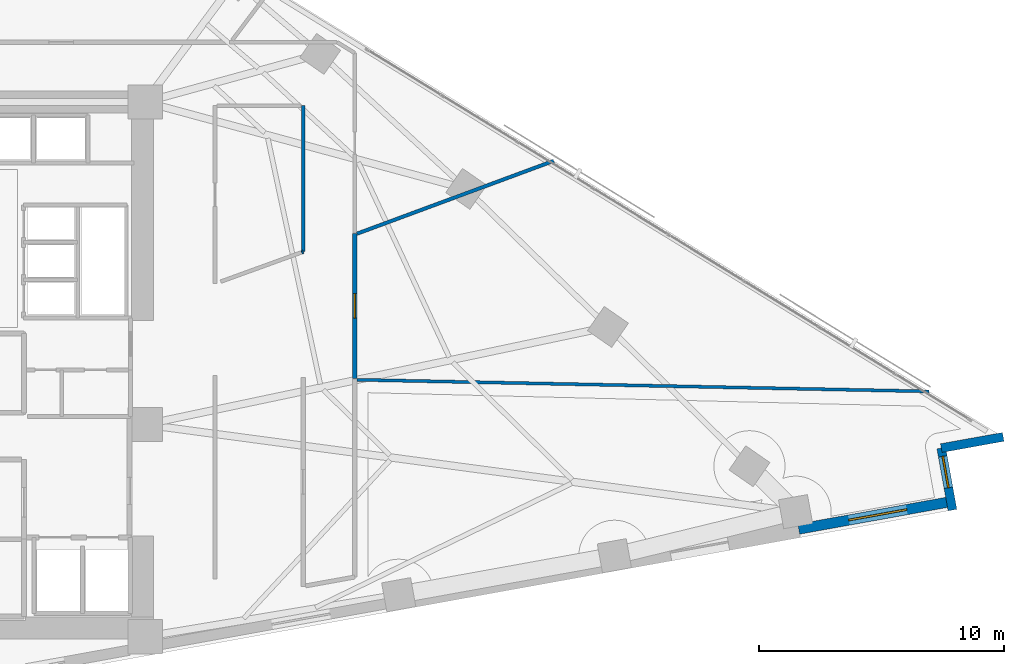
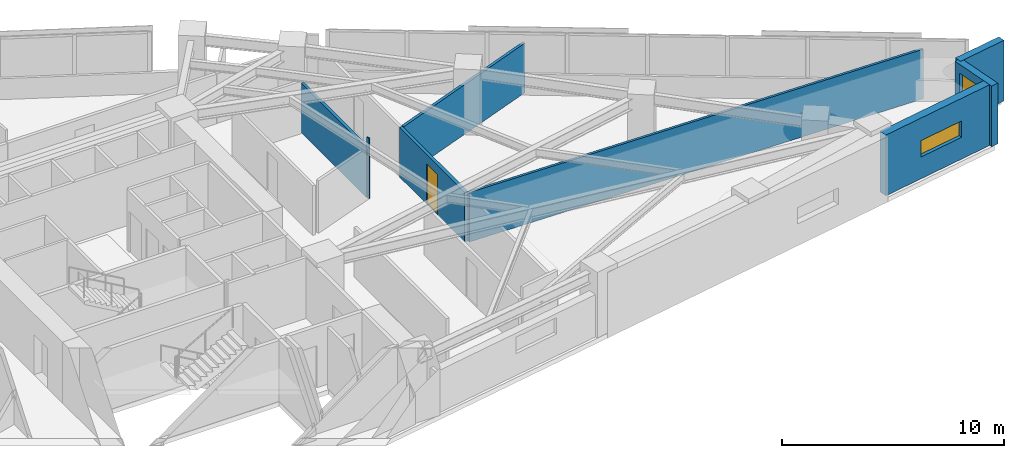
# One storey, part 15 of 18: 8 walls, 2 windows, 1 door, 3 openings.
"""IFC4 building model written with IfcOpenShell, lengths in metres."""

from ifc_helpers import new_model, si_unit, direction, frame, frame_2d, origin, place, context, subcontext, project, spatial, rectangle, extrude, material, layer, layer_set, type_object, element, fill, save


model = new_model("IFC4")

# Units and contexts
model_context = context("Model", 3, precision=1e-05, world=origin(), true_north=direction((0.0, 1.0)))
body_context = subcontext(model_context, "Body", "Model", "MODEL_VIEW")
ifc_project = project(units=[si_unit("LENGTHUNIT", "METRE"), si_unit("AREAUNIT", "SQUARE_METRE"), si_unit("VOLUMEUNIT", "CUBIC_METRE"), si_unit("PLANEANGLEUNIT", "RADIAN"), si_unit("MASSUNIT", "GRAM", prefix="KILO")], contexts=[model_context])

# Site, building, storey
site_placement = place(None, origin())
site = spatial("IfcSite", under=ifc_project, at=site_placement, CompositionType="ELEMENT")
building_placement = place(site_placement, origin())
building = spatial("IfcBuilding", under=site, at=building_placement, Name="Narakoshi Arena Tower", CompositionType="ELEMENT")
storey_placement = place(building_placement, frame((0.0, 0.0, 106.5)))
storey = spatial("IfcBuildingStorey", under=building, at=storey_placement, Name="L28", CompositionType="ELEMENT", Elevation=106.5)

# Wall, opening, door
ifc_material_1 = material(Name="Gypsum plasterboard fire-rated partition")
ifc_layer_1 = layer(ifc_material_1, 0.1650390625)
ifc_layer_set_1 = layer_set([ifc_layer_1], Name="Gypsum plasterboard fire-rated partition")
wall_type_1 = type_object("IfcWallType", Name="WL-CORR-165", PredefinedType="PARTITIONING", material=ifc_layer_set_1)
wall_1_placement = place(storey_placement, frame((94.09619140625, 45.237060546875, 0.0), z_axis=(0.0, 0.0, 1.0), x_axis=(0.0, 1.0, 0.0)))
wall_1 = element("IfcWall", 1, at=wall_1_placement, inside=storey, type_object=wall_type_1, Name="L28 Corridor Partition 03-1", PredefinedType="PARTITIONING", context=body_context, shape_type="SweptSolid", body=[
    extrude(rectangle(XDim=5.894287109375, YDim=0.1650390625, at=frame_2d((2.947265625, 0.0))), origin(), (0.0, 0.0, 1.0), 2.72509765625),
])
opening_1_placement = place(wall_1_placement, frame((2.447265625, 0.0, 0.0)))
opening_1 = element("IfcOpeningElement", 2, at=opening_1_placement, cuts=wall_1, Name="Opening D-06", PredefinedType="OPENING", context=body_context, shape_type="SweptSolid", body=[
    extrude(rectangle(XDim=1.0, YDim=2.199951171875, at=frame_2d((0.5, 1.10009765625))), frame((0.0, 0.092529296875, 0.0), z_axis=(0.0, -1.0, 0.0), x_axis=(1.0, 0.0, 0.0)), (0.0, 0.0, 1.0), 0.18505859375),
])
ifc_material_2 = material(Name="Stained oak solid-core timber", Category="wood")
door_type = type_object("IfcDoorType", Name="DR-OFF-1000", OperationType="NOTDEFINED", PredefinedType="DOOR", material=ifc_material_2)
door_placement = place(opening_1_placement, frame((1.0, 0.0, 0.0), z_axis=(0.0, 0.0, 1.0), x_axis=(-1.0, 0.0, 0.0)))
door = element("IfcDoor", 3, at=door_placement, inside=storey, type_object=door_type, Name="DR-L28-017", OperationType="SINGLE_SWING_RIGHT", OverallHeight=2.199951171875, OverallWidth=1.0, PredefinedType="DOOR", context=body_context, shape_type="SweptSolid", body=[
    extrude(rectangle(XDim=1.0, YDim=2.199951171875, at=frame_2d((0.5, 1.10009765625))), frame((0.0, 0.02490234375, 0.0), z_axis=(0.0, -1.0, 0.0), x_axis=(1.0, 0.0, 0.0)), (0.0, 0.0, 1.0), 0.050048828125),
])
fill(opening_1, door)

# Wall
ifc_layer_2 = layer(ifc_material_1, 0.125)
ifc_layer_set_2 = layer_set([ifc_layer_2], Name="Gypsum plasterboard fire-rated partition")
wall_type_2 = type_object("IfcWallType", Name="WL-PART-125", PredefinedType="PARTITIONING", material=ifc_layer_set_2)
wall_2_placement = place(storey_placement, frame((94.190673828125, 45.175048828125, 0.0), z_axis=(0.0, 0.0, 1.0), x_axis=(0.99979429886, -0.020282010941, 0.0)))
element("IfcWall", 4, at=wall_2_placement, inside=storey, type_object=wall_type_2, Name="L28 Inter-Room Partition 02-03", PredefinedType="PARTITIONING", context=body_context, shape_type="SweptSolid", body=[
    extrude(rectangle(XDim=23.328369140625, YDim=0.125, at=frame_2d((11.6640625, 0.0))), origin(), (0.0, 0.0, 1.0), 2.72509765625),
])

# Wall, opening, window
ifc_material_3 = material(Name="Precast concrete C45/55", Category="concrete")
ifc_layer_3 = layer(ifc_material_3, 0.419921875)
ifc_layer_set_3 = layer_set([ifc_layer_3], Name="Precast concrete C45/55")
wall_type_3 = type_object("IfcWallType", Name="WL-POD-420", PredefinedType="SOLIDWALL", material=ifc_layer_set_3)
wall_3_placement = place(storey_placement, frame((112.198974609375, 39.086669921875, 0.0), z_axis=(0.0, 0.0, 1.0), x_axis=(0.984042888215, 0.177931431042, 0.0)))
wall_3 = element("IfcWall", 5, at=wall_3_placement, inside=storey, type_object=wall_type_3, Name="L28 Architectural Concrete Facade Wall LEGA-4", PredefinedType="SOLIDWALL", context=body_context, shape_type="SweptSolid", body=[
    extrude(rectangle(XDim=6.30615234375, YDim=0.419921875, at=frame_2d((3.153076171875, 0.0))), origin(), (0.0, 0.0, 1.0), 3.340087890625),
])
opening_2_placement = place(wall_3_placement, frame((2.0751953125, 0.0, 1.199951171875)))
opening_2 = element("IfcOpeningElement", 6, at=opening_2_placement, cuts=wall_3, Name="Opening WN-01", PredefinedType="OPENING", context=body_context, shape_type="SweptSolid", body=[
    extrude(rectangle(XDim=2.39990234375, YDim=0.89990234375, at=frame_2d((1.199951171875, 0.449951171875))), frame((0.0, 0.219970703125, 0.0), z_axis=(0.0, -1.0, 0.0), x_axis=(1.0, 0.0, 0.0)), (0.0, 0.0, 1.0), 0.43994140625),
])
ifc_material_4 = material(Name="Bronze-tinted low-E laminated glass", Category="glass")
window_type_1 = type_object("IfcWindowType", Name="WIN-SLT-24x09", PartitioningType="SINGLE_PANEL", PredefinedType="WINDOW", material=ifc_material_4)
window_1_placement = place(opening_2_placement, origin())
window_1 = element("IfcWindow", 7, at=window_1_placement, inside=storey, type_object=window_type_1, Name="L28 LEGA4 Horizontal Slot Window 1", OverallHeight=0.89990234375, OverallWidth=2.39990234375, PartitioningType="SINGLE_PANEL", PredefinedType="WINDOW", context=body_context, shape_type="SweptSolid", body=[
    extrude(rectangle(XDim=2.39990234375, YDim=0.89990234375, at=frame_2d((1.199951171875, 0.449951171875))), frame((0.0, 0.030029296875, 0.0), z_axis=(0.0, -1.0, 0.0), x_axis=(1.0, 0.0, 0.0)), (0.0, 0.0, 1.0), 0.06005859375),
])
fill(opening_2, window_1)

wall_4_placement = place(storey_placement, frame((118.466796875, 39.8642578125, 0.0), z_axis=(0.0, 0.0, 1.0), x_axis=(-0.177897493713, 0.984049024048, 0.0)))
wall_4 = element("IfcWall", 8, at=wall_4_placement, inside=storey, type_object=wall_type_3, Name="L28 Re-Entrant Corner Notch Wall NTE-1", PredefinedType="SOLIDWALL", context=body_context, shape_type="SweptSolid", body=[
    extrude(rectangle(XDim=2.56640625, YDim=0.360107421875, at=frame_2d((1.283203125, 0.0))), origin(), (0.0, 0.0, 1.0), 3.340087890625),
])
opening_3_placement = place(wall_4_placement, frame((0.92626953125, 0.0, 0.449951171875)))
opening_3 = element("IfcOpeningElement", 9, at=opening_3_placement, cuts=wall_4, Name="Opening WN-06", PredefinedType="OPENING", context=body_context, shape_type="SweptSolid", body=[
    extrude(rectangle(XDim=1.300048828125, YDim=2.39990234375, at=frame_2d((0.64990234375, 1.199951171875))), frame((0.0, 0.18994140625, 0.0), z_axis=(0.0, -1.0, 0.0), x_axis=(1.0, 0.0, 0.0)), (0.0, 0.0, 1.0), 0.380126953125),
])
window_type_2 = type_object("IfcWindowType", Name="WIN-NTC-16x24", PartitioningType="SINGLE_PANEL", PredefinedType="WINDOW", material=ifc_material_4)
window_2_placement = place(opening_3_placement, origin())
window_2 = element("IfcWindow", 10, at=window_2_placement, inside=storey, type_object=window_type_2, Name="L28 Corner Notch Window NTE", OverallHeight=2.39990234375, OverallWidth=1.300048828125, PartitioningType="SINGLE_PANEL", PredefinedType="WINDOW", context=body_context, shape_type="SweptSolid", body=[
    extrude(rectangle(XDim=1.300048828125, YDim=2.39990234375, at=frame_2d((0.64990234375, 1.199951171875))), frame((0.0, 0.030029296875, 0.0), z_axis=(0.0, -1.0, 0.0), x_axis=(1.0, 0.0, 0.0)), (0.0, 0.0, 1.0), 0.06005859375),
])
fill(opening_3, window_2)

# Walls
wall_5_placement = place(storey_placement, frame((118.01025390625, 42.3896484375, 0.0), z_axis=(0.0, 0.0, 1.0), x_axis=(0.984046012923, 0.177914149102, 0.0)))
element("IfcWall", 11, at=wall_5_placement, inside=storey, type_object=wall_type_3, Name="L28 Re-Entrant Corner Notch Wall NTE-2", PredefinedType="SOLIDWALL", context=body_context, shape_type="SweptSolid", body=[
    extrude(rectangle(XDim=2.566162109375, YDim=0.360107421875, at=frame_2d((1.283203125, 0.0))), origin(), (0.0, 0.0, 1.0), 3.340087890625),
])
ifc_material_5 = material(Name="Moisture-resistant cement-board partition")
ifc_layer_4 = layer(ifc_material_5, 0.14501953125)
ifc_layer_set_4 = layer_set([ifc_layer_4], Name="Moisture-resistant cement-board partition")
wall_type_4 = type_object("IfcWallType", Name="WL-WET-145", PredefinedType="PARTITIONING", material=ifc_layer_set_4)
wall_6_placement = place(storey_placement, frame((94.189208984375, 51.13134765625, 0.0), z_axis=(0.0, 0.0, 1.0), x_axis=(0.937797640871, 0.347182350901, 0.0)))
element("IfcWall", 12, at=wall_6_placement, inside=storey, type_object=wall_type_4, Name="L28 Inter-Room Partition 03-04", PredefinedType="PARTITIONING", context=body_context, shape_type="SweptSolid", body=[
    extrude(rectangle(XDim=8.5537109375, YDim=0.14501953125, at=frame_2d((4.27685546875, 0.0))), origin(), (0.0, 0.0, 1.0), 2.72509765625),
])
wall_7_placement = place(storey_placement, frame((91.996337890625, 56.35009765625, 0.0), z_axis=(0.0, 0.0, 1.0), x_axis=(0.0, -1.0, 0.0)))
element("IfcWall", 13, at=wall_7_placement, inside=storey, type_object=wall_type_4, Name="L28 Corridor Partition 05-2", PredefinedType="PARTITIONING", context=body_context, shape_type="SweptSolid", body=[
    extrude(rectangle(XDim=5.954345703125, YDim=0.14501953125, at=frame_2d((2.97705078125, 0.0))), origin(), (0.0, 0.0, 1.0), 2.72509765625),
])
wall_8_placement = place(storey_placement, frame((91.996337890625, 50.395751953125, 0.0), z_axis=(0.0, 0.0, 1.0), x_axis=(-0.93912285212, -0.343581531264, 0.0)))
element("IfcWall", 14, at=wall_8_placement, inside=storey, type_object=wall_type_4, Name="L28 Corridor Partition 05-4", PredefinedType="PARTITIONING", context=body_context, shape_type="SweptSolid", body=[
    extrude(rectangle(XDim=0.06396484375, YDim=0.14501953125, at=frame_2d((0.031982421875, 0.0))), origin(), (0.0, 0.0, 1.0), 3.340087890625),
])

save(model, "model.ifc")
